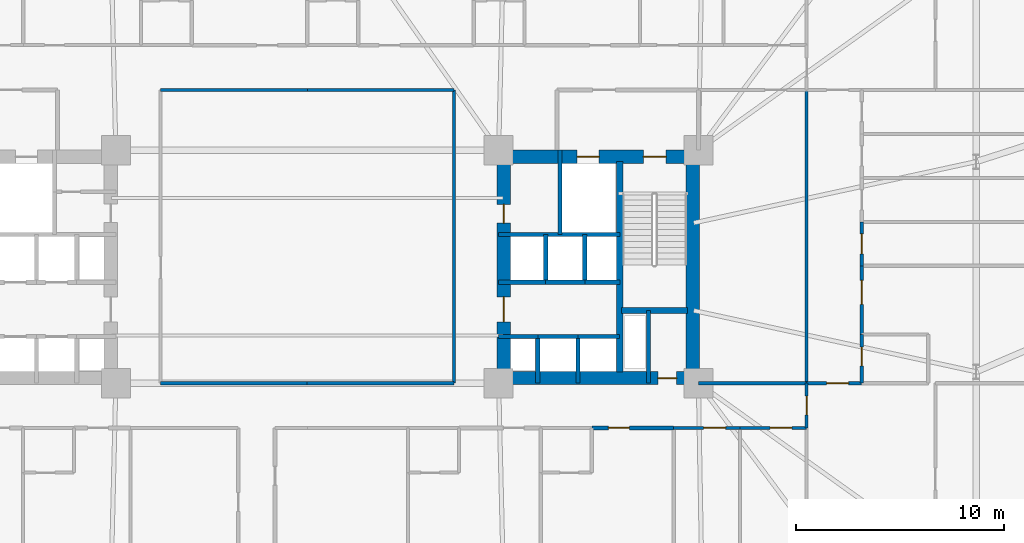
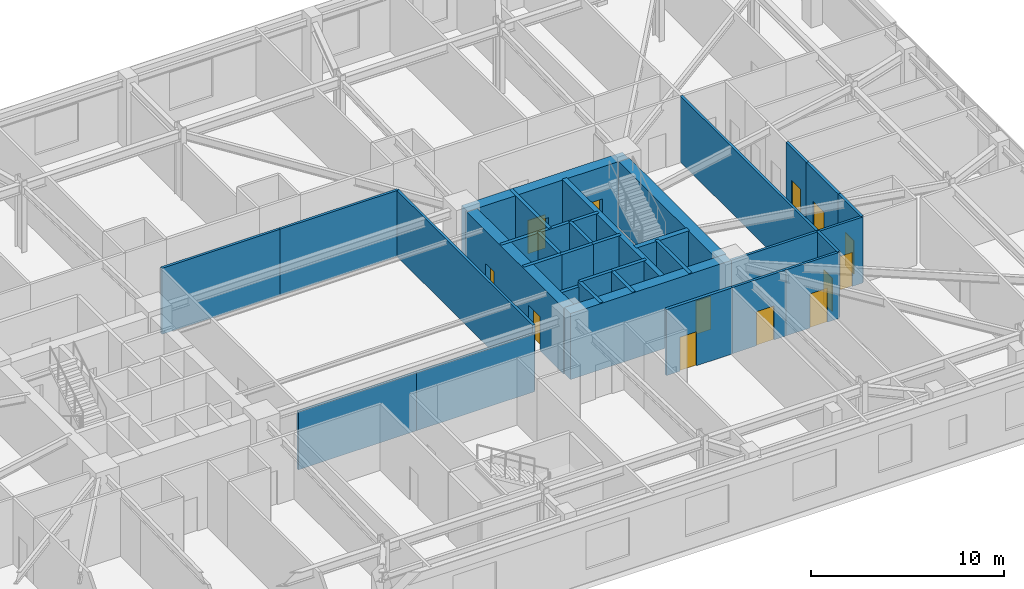
# One storey, part 14 of 21: 34 walls, 13 doors, 13 openings.
"""IFC4 building model written with IfcOpenShell, lengths in metres."""

from ifc_helpers import new_model, si_unit, direction, frame, frame_2d, origin, place, context, subcontext, project, spatial, rectangle, extrude, material, layer, layer_set, type_object, element, fill, save


model = new_model("IFC4")

# Units and contexts
model_context = context("Model", 3, precision=1e-05, world=origin(), true_north=direction((0.0, 1.0)))
body_context = subcontext(model_context, "Body", "Model", "MODEL_VIEW")
ifc_project = project(units=[si_unit("LENGTHUNIT", "METRE"), si_unit("AREAUNIT", "SQUARE_METRE"), si_unit("VOLUMEUNIT", "CUBIC_METRE"), si_unit("PLANEANGLEUNIT", "RADIAN"), si_unit("MASSUNIT", "GRAM", prefix="KILO")], contexts=[model_context])

# Site, building, storey
site_placement = place(None, origin())
site = spatial("IfcSite", under=ifc_project, at=site_placement, CompositionType="ELEMENT")
building_placement = place(site_placement, origin())
building = spatial("IfcBuilding", under=site, at=building_placement, Name="Qobustan Lattice House", CompositionType="ELEMENT")
storey_placement = place(building_placement, frame((0.0, 0.0, 18.0)))
storey = spatial("IfcBuildingStorey", under=building, at=storey_placement, Name="L04", CompositionType="ELEMENT", Elevation=18.0)

# Wall, openings, doors
ifc_material_1 = material(Name="Concrete C60/75", Category="concrete")
ifc_layer_1 = layer(ifc_material_1, 0.639892578125)
ifc_layer_set_1 = layer_set([ifc_layer_1], Name="Concrete C60/75")
wall_type_1 = type_object("IfcWallType", Name="WAL-CORE-640", PredefinedType="SHEAR", material=ifc_layer_set_1)
wall_1_placement = place(storey_placement, frame((9.199951171875, 5.280029296875, 0.0), z_axis=(0.0, 0.0, 1.0), x_axis=(1.0, 0.0, 0.0)))
wall_1 = element("IfcWall", 1, at=wall_1_placement, inside=storey, type_object=wall_type_1, Name="L04 split-core shear wall CE-N", PredefinedType="SHEAR", context=body_context, shape_type="SweptSolid", body=[
    extrude(rectangle(XDim=9.60009765625, YDim=0.639892578125, at=frame_2d((4.800048828125, 0.0))), origin(), (0.0, 0.0, 1.0), 4.169921875),
])
opening_1_placement = place(wall_1_placement, frame((6.949951171875, 0.0, 0.0)))
opening_1 = element("IfcOpeningElement", 2, at=opening_1_placement, cuts=wall_1, Name="Opening SD-01", PredefinedType="OPENING", context=body_context, shape_type="SweptSolid", body=[
    extrude(rectangle(XDim=1.10009765625, YDim=2.14990234375, at=frame_2d((0.550048828125, 1.074951171875))), frame((0.0, 0.329833984375, 0.0), z_axis=(0.0, -1.0, 0.0), x_axis=(1.0, 0.0, 0.0)), (0.0, 0.0, 1.0), 0.659912109375),
])
opening_2_placement = place(wall_1_placement, frame((3.77490234375, 0.0, 0.0)))
opening_2 = element("IfcOpeningElement", 3, at=opening_2_placement, cuts=wall_1, Name="Opening LD-01", PredefinedType="OPENING", context=body_context, shape_type="SweptSolid", body=[
    extrude(rectangle(XDim=1.050048828125, YDim=2.10009765625, at=frame_2d((0.52490234375, 1.050048828125))), frame((0.0, 0.329833984375, 0.0), z_axis=(0.0, -1.0, 0.0), x_axis=(1.0, 0.0, 0.0)), (0.0, 0.0, 1.0), 0.659912109375),
])
ifc_material_2 = material(Name="Persian walnut timber and steel frame door", Category="steel")
door_type_1 = type_object("IfcDoorType", Name="DOR-LIFT-LD-1050x2100", OperationType="NOTDEFINED", PredefinedType="DOOR", material=ifc_material_2)
door_1_placement = place(opening_2_placement, origin())
door_1 = element("IfcDoor", 4, at=door_1_placement, inside=storey, type_object=door_type_1, Name="L04 firefighting lift FF-E landing door", OperationType="DOUBLE_DOOR_SLIDING", OverallHeight=2.10009765625, OverallWidth=1.050048828125, PredefinedType="DOOR", context=body_context, shape_type="SweptSolid", body=[
    extrude(rectangle(XDim=1.050048828125, YDim=2.10009765625, at=frame_2d((0.52490234375, 1.050048828125))), frame((0.0, 0.02490234375, 0.0), z_axis=(0.0, -1.0, 0.0), x_axis=(1.0, 0.0, 0.0)), (0.0, 0.0, 1.0), 0.050048828125),
])
fill(opening_2, door_1)
ifc_material_3 = material(Name="Persian walnut timber and steel frame door", Category="steel")
door_type_2 = type_object("IfcDoorType", Name="DOR-STAIR-FD-1100x2150", OperationType="NOTDEFINED", PredefinedType="DOOR", material=ifc_material_3)
door_2_placement = place(opening_1_placement, origin())
door_2 = element("IfcDoor", 5, at=door_2_placement, inside=storey, type_object=door_type_2, Name="L04 exit stair ST-E1 fire door", OperationType="SINGLE_SWING_RIGHT", OverallHeight=2.14990234375, OverallWidth=1.10009765625, PredefinedType="DOOR", context=body_context, shape_type="SweptSolid", body=[
    extrude(rectangle(XDim=1.10009765625, YDim=2.14990234375, at=frame_2d((0.550048828125, 1.074951171875))), frame((0.0, 0.02490234375, 0.0), z_axis=(0.0, -1.0, 0.0), x_axis=(1.0, 0.0, 0.0)), (0.0, 0.0, 1.0), 0.050048828125),
])
fill(opening_1, door_2)

# Wall, opening, door
wall_2_placement = place(storey_placement, frame((9.199951171875, -5.35009765625, 0.0), z_axis=(0.0, 0.0, 1.0), x_axis=(1.0, 0.0, 0.0)))
wall_2 = element("IfcWall", 6, at=wall_2_placement, inside=storey, type_object=wall_type_1, Name="L04 split-core shear wall CE-S", PredefinedType="SHEAR", context=body_context, shape_type="SweptSolid", body=[
    extrude(rectangle(XDim=9.60009765625, YDim=0.639892578125, at=frame_2d((4.800048828125, 0.0))), origin(), (0.0, 0.0, 1.0), 4.169921875),
])
opening_3_placement = place(wall_2_placement, frame((7.64990234375, 0.0, 0.0)))
opening_3 = element("IfcOpeningElement", 7, at=opening_3_placement, cuts=wall_2, Name="Opening RD-01", PredefinedType="OPENING", context=body_context, shape_type="SweptSolid", body=[
    extrude(rectangle(XDim=0.89990234375, YDim=2.10009765625, at=frame_2d((0.449951171875, 1.050048828125))), frame((0.0, 0.329833984375, 0.0), z_axis=(0.0, -1.0, 0.0), x_axis=(1.0, 0.0, 0.0)), (0.0, 0.0, 1.0), 0.659912109375),
])
ifc_material_4 = material(Name="Persian walnut timber and steel frame door", Category="steel")
door_type_3 = type_object("IfcDoorType", Name="DOR-RISER-FD-900x2100", OperationType="NOTDEFINED", PredefinedType="DOOR", material=ifc_material_4)
door_3_placement = place(opening_3_placement, origin())
door_3 = element("IfcDoor", 8, at=door_3_placement, inside=storey, type_object=door_type_3, Name="L04 core service riser access door E", OperationType="SINGLE_SWING_RIGHT", OverallHeight=2.10009765625, OverallWidth=0.89990234375, PredefinedType="DOOR", context=body_context, shape_type="SweptSolid", body=[
    extrude(rectangle(XDim=0.89990234375, YDim=2.10009765625, at=frame_2d((0.449951171875, 1.050048828125))), frame((0.0, 0.02490234375, 0.0), z_axis=(0.0, -1.0, 0.0), x_axis=(1.0, 0.0, 0.0)), (0.0, 0.0, 1.0), 0.050048828125),
])
fill(opening_3, door_3)

# Wall, openings, doors
wall_3_placement = place(storey_placement, frame((9.449951171875, -5.050048828125, 0.0), z_axis=(0.0, 0.0, 1.0), x_axis=(0.0, 1.0, 0.0)))
wall_3 = element("IfcWall", 9, at=wall_3_placement, inside=storey, type_object=wall_type_1, Name="L04 split-core shear wall CE-W", PredefinedType="SHEAR", context=body_context, shape_type="SweptSolid", body=[
    extrude(rectangle(XDim=10.10009765625, YDim=0.639892578125, at=frame_2d((5.050048828125, 0.0))), origin(), (0.0, 0.0, 1.0), 4.169921875),
])
opening_4_placement = place(wall_3_placement, frame((7.14990234375, 0.0, 0.0)))
opening_4 = element("IfcOpeningElement", 10, at=opening_4_placement, cuts=wall_3, Name="Opening RD-01", PredefinedType="OPENING", context=body_context, shape_type="SweptSolid", body=[
    extrude(rectangle(XDim=0.89990234375, YDim=2.10009765625, at=frame_2d((0.449951171875, 1.050048828125))), frame((0.0, 0.329833984375, 0.0), z_axis=(0.0, -1.0, 0.0), x_axis=(1.0, 0.0, 0.0)), (0.0, 0.0, 1.0), 0.659912109375),
])
opening_5_placement = place(wall_3_placement, frame((2.39990234375, 0.0, 0.0)))
opening_5 = element("IfcOpeningElement", 11, at=opening_5_placement, cuts=wall_3, Name="Opening FD-01", PredefinedType="OPENING", context=body_context, shape_type="SweptSolid", body=[
    extrude(rectangle(XDim=1.199951171875, YDim=2.14990234375, at=frame_2d((0.60009765625, 1.074951171875))), frame((0.0, 0.329833984375, 0.0), z_axis=(0.0, -1.0, 0.0), x_axis=(1.0, 0.0, 0.0)), (0.0, 0.0, 1.0), 0.659912109375),
])
ifc_material_5 = material(Name="Persian walnut timber and steel frame door", Category="steel")
door_type_4 = type_object("IfcDoorType", Name="DOR-LOBBY-FD-1200x2150", OperationType="NOTDEFINED", PredefinedType="DOOR", material=ifc_material_5)
door_4_placement = place(opening_5_placement, origin())
door_4 = element("IfcDoor", 12, at=door_4_placement, inside=storey, type_object=door_type_4, Name="L04 East passenger lift lobby fire door", OperationType="SINGLE_SWING_RIGHT", OverallHeight=2.14990234375, OverallWidth=1.199951171875, PredefinedType="DOOR", context=body_context, shape_type="SweptSolid", body=[
    extrude(rectangle(XDim=1.199951171875, YDim=2.14990234375, at=frame_2d((0.60009765625, 1.074951171875))), frame((0.0, 0.02490234375, 0.0), z_axis=(0.0, -1.0, 0.0), x_axis=(1.0, 0.0, 0.0)), (0.0, 0.0, 1.0), 0.050048828125),
])
fill(opening_5, door_4)
door_5_placement = place(opening_4_placement, origin())
door_5 = element("IfcDoor", 13, at=door_5_placement, inside=storey, type_object=door_type_3, Name="L04 Housekeeping linen store fire door", OperationType="SINGLE_SWING_LEFT", OverallHeight=2.10009765625, OverallWidth=0.89990234375, PredefinedType="DOOR", context=body_context, shape_type="SweptSolid", body=[
    extrude(rectangle(XDim=0.89990234375, YDim=2.10009765625, at=frame_2d((0.449951171875, 1.050048828125))), frame((0.0, 0.02490234375, 0.0), z_axis=(0.0, -1.0, 0.0), x_axis=(1.0, 0.0, 0.0)), (0.0, 0.0, 1.0), 0.050048828125),
])
fill(opening_4, door_5)

# Walls
wall_4_placement = place(storey_placement, frame((18.530029296875, -5.050048828125, 0.0), z_axis=(0.0, 0.0, 1.0), x_axis=(0.0, 1.0, 0.0)))
element("IfcWall", 14, at=wall_4_placement, inside=storey, type_object=wall_type_1, Name="L04 split-core shear wall CE-E", PredefinedType="SHEAR", context=body_context, shape_type="SweptSolid", body=[
    extrude(rectangle(XDim=10.10009765625, YDim=0.639892578125, at=frame_2d((5.050048828125, 0.0))), origin(), (0.0, 0.0, 1.0), 4.169921875),
])
ifc_material_6 = material(Name="Concrete C50/60", Category="concrete")
ifc_layer_2 = layer(ifc_material_6, 0.280029296875)
ifc_layer_set_2 = layer_set([ifc_layer_2], Name="Concrete C50/60")
wall_type_2 = type_object("IfcWallType", Name="WAL-CORE-SPINE-280", PredefinedType="SHEAR", material=ifc_layer_set_2)
wall_5_placement = place(storey_placement, frame((15.02001953125, -5.050048828125, 0.0), z_axis=(0.0, 0.0, 1.0), x_axis=(0.0, 1.0, 0.0)))
element("IfcWall", 15, at=wall_5_placement, inside=storey, type_object=wall_type_2, Name="L04 split-core shear wall CE-M", PredefinedType="SHEAR", context=body_context, shape_type="SweptSolid", body=[
    extrude(rectangle(XDim=10.10009765625, YDim=0.300048828125, at=frame_2d((5.050048828125, 0.0))), origin(), (0.0, 0.0, 1.0), 4.169921875),
])
wall_6_placement = place(storey_placement, frame((15.10009765625, -2.110107421875, 0.0), z_axis=(0.0, 0.0, 1.0), x_axis=(1.0, 0.0, 0.0)))
element("IfcWall", 16, at=wall_6_placement, inside=storey, type_object=wall_type_2, Name="L04 split-core shear wall CE-ST", PredefinedType="SHEAR", context=body_context, shape_type="SweptSolid", body=[
    extrude(rectangle(XDim=3.179931640625, YDim=0.300048828125, at=frame_2d((1.58984375, 0.0))), origin(), (0.0, 0.0, 1.0), 4.169921875),
])

# Wall, opening, door
ifc_material_7 = material(Name="Gypsum fireboard acoustic partition", Category="gypsum")
ifc_layer_3 = layer(ifc_material_7, 0.179931640625)
ifc_layer_set_3 = layer_set([ifc_layer_3], Name="Gypsum fireboard acoustic partition")
wall_type_3 = type_object("IfcWallType", Name="WAL-FIRE-180", PredefinedType="PARTITIONING", material=ifc_layer_set_3)
wall_7_placement = place(storey_placement, frame((17.613037109375, -7.75, 0.0), z_axis=(0.0, 0.0, 1.0), x_axis=(-1.0, 0.0, 0.0)))
wall_7 = element("IfcWall", 17, at=wall_7_placement, inside=storey, type_object=wall_type_3, Name="L04 interior partition 70", PredefinedType="PARTITIONING", context=body_context, shape_type="SweptSolid", body=[
    extrude(rectangle(XDim=3.93798828125, YDim=0.179931640625, at=frame_2d((1.968994140625, 0.0))), origin(), (0.0, 0.0, 1.0), 4.169921875),
])
opening_6_placement = place(wall_7_placement, frame((2.1357421875, 0.0, 0.0)))
opening_6 = element("IfcOpeningElement", 18, at=opening_6_placement, cuts=wall_7, Name="Opening FD-02", PredefinedType="OPENING", context=body_context, shape_type="SweptSolid", body=[
    extrude(rectangle(XDim=1.0, YDim=2.14990234375, at=frame_2d((0.5, 1.074951171875))), frame((0.0, 0.099853515625, 0.0), z_axis=(0.0, -1.0, 0.0), x_axis=(1.0, 0.0, 0.0)), (0.0, 0.0, 1.0), 0.199951171875),
])
ifc_material_8 = material(Name="Persian walnut timber and steel frame door", Category="steel")
door_type_5 = type_object("IfcDoorType", Name="DOR-UNIT-FD-1000x2150", OperationType="NOTDEFINED", PredefinedType="DOOR", material=ifc_material_8)
door_6_placement = place(opening_6_placement, origin())
door_6 = element("IfcDoor", 19, at=door_6_placement, inside=storey, type_object=door_type_5, Name="L04 South-east podium corridor to Kitchenette and studio apartment L04-S3 door", OperationType="SINGLE_SWING_RIGHT", OverallHeight=2.14990234375, OverallWidth=1.0, PredefinedType="DOOR", context=body_context, shape_type="SweptSolid", body=[
    extrude(rectangle(XDim=1.0, YDim=2.14990234375, at=frame_2d((0.5, 1.074951171875))), frame((0.0, 0.02490234375, 0.0), z_axis=(0.0, -1.0, 0.0), x_axis=(1.0, 0.0, 0.0)), (0.0, 0.0, 1.0), 0.050048828125),
])
fill(opening_6, door_6)

# Walls
ifc_material_9 = material(Name="Acoustic twin-stud gypsum partition", Category="gypsum")
ifc_layer_4 = layer(ifc_material_9, 0.14990234375)
ifc_layer_set_4 = layer_set([ifc_layer_4], Name="Acoustic twin-stud gypsum partition")
wall_type_4 = type_object("IfcWallType", Name="WAL-PART-150", PredefinedType="PARTITIONING", material=ifc_layer_set_4)
for number, where, z_axis, x_axis, name in (
    (20, (0.0, 8.5, 0.0), (0.0, 0.0, 1.0), (-1.0, 0.0, 0.0), "L04 interior partition 45"),
    (21, (7.050048828125, 8.5, 0.0), (0.0, 0.0, 1.0), (-1.0, 0.0, 0.0), "L04 interior partition 54"),
):
    element("IfcWall", number, at=place(storey_placement, frame(where, z_axis=z_axis, x_axis=x_axis)), inside=storey, type_object=wall_type_4, Name=name, PredefinedType="PARTITIONING", context=body_context, shape_type="SweptSolid", body=[
        extrude(rectangle(XDim=7.050048828125, YDim=0.14990234375, at=frame_2d((3.52490234375, 0.0))), origin(), (0.0, 0.0, 1.0), 4.169921875),
    ])
wall_8_placement = place(storey_placement, frame((-7.050048828125, -5.60009765625, 0.0), z_axis=(0.0, 0.0, 1.0), x_axis=(1.0, 0.0, 0.0)))
element("IfcWall", 22, at=wall_8_placement, inside=storey, type_object=wall_type_4, Name="L04 interior partition 64", PredefinedType="PARTITIONING", context=body_context, shape_type="SweptSolid", body=[
    extrude(rectangle(XDim=7.050048828125, YDim=0.14990234375, at=frame_2d((3.52490234375, 0.0))), origin(), (0.0, 0.0, 1.0), 3.655029296875),
])

# Wall, opening, door
wall_9_placement = place(storey_placement, frame((24.0, -5.60009765625, 0.0), z_axis=(0.0, 0.0, 1.0), x_axis=(0.0, -1.0, 0.0)))
wall_9 = element("IfcWall", 23, at=wall_9_placement, inside=storey, type_object=wall_type_4, Name="L04 interior partition 65", PredefinedType="PARTITIONING", context=body_context, shape_type="SweptSolid", body=[
    extrude(rectangle(XDim=2.14990234375, YDim=0.14990234375, at=frame_2d((1.074951171875, 0.0))), origin(), (0.0, 0.0, 1.0), 4.169921875),
])
opening_7_placement = place(wall_9_placement, frame((0.625, 0.0, 0.0)))
opening_7 = element("IfcOpeningElement", 24, at=opening_7_placement, cuts=wall_9, Name="Opening WD-01", PredefinedType="OPENING", context=body_context, shape_type="SweptSolid", body=[
    extrude(rectangle(XDim=0.89990234375, YDim=2.10009765625, at=frame_2d((0.449951171875, 1.050048828125))), frame((0.0, 0.0849609375, 0.0), z_axis=(0.0, -1.0, 0.0), x_axis=(1.0, 0.0, 0.0)), (0.0, 0.0, 1.0), 0.169921875),
])
ifc_material_10 = material(Name="Persian walnut timber and steel frame door", Category="steel")
door_type_6 = type_object("IfcDoorType", Name="DOR-WET-900x2100", OperationType="NOTDEFINED", PredefinedType="DOOR", material=ifc_material_10)
door_7_placement = place(opening_7_placement, origin())
door_7 = element("IfcDoor", 25, at=door_7_placement, inside=storey, type_object=door_type_6, Name="L04 South-east podium corridor to Reading seminar room L04ES door", OperationType="SINGLE_SWING_RIGHT", OverallHeight=2.10009765625, OverallWidth=0.89990234375, PredefinedType="DOOR", context=body_context, shape_type="SweptSolid", body=[
    extrude(rectangle(XDim=0.89990234375, YDim=2.10009765625, at=frame_2d((0.449951171875, 1.050048828125))), frame((0.0, 0.02490234375, 0.0), z_axis=(0.0, -1.0, 0.0), x_axis=(1.0, 0.0, 0.0)), (0.0, 0.0, 1.0), 0.050048828125),
])
fill(opening_7, door_7)

# Wall
wall_10_placement = place(storey_placement, frame((18.800048828125, -5.60009765625, 0.0), z_axis=(0.0, 0.0, 1.0), x_axis=(1.0, 0.0, 0.0)))
element("IfcWall", 26, at=wall_10_placement, inside=storey, type_object=wall_type_4, Name="L04 interior partition 66", PredefinedType="PARTITIONING", context=body_context, shape_type="SweptSolid", body=[
    extrude(rectangle(XDim=5.199951171875, YDim=0.14990234375, at=frame_2d((2.60009765625, 0.0))), origin(), (0.0, 0.0, 1.0), 4.169921875),
])

# Wall, opening, door
wall_11_placement = place(storey_placement, frame((20.806396484375, -7.75, 0.0), z_axis=(0.0, 0.0, 1.0), x_axis=(-1.0, 0.0, 0.0)))
wall_11 = element("IfcWall", 27, at=wall_11_placement, inside=storey, type_object=wall_type_4, Name="L04 interior partition 72", PredefinedType="PARTITIONING", context=body_context, shape_type="SweptSolid", body=[
    extrude(rectangle(XDim=3.193359375, YDim=0.14990234375, at=frame_2d((1.5966796875, 0.0))), origin(), (0.0, 0.0, 1.0), 4.169921875),
])
opening_8_placement = place(wall_11_placement, frame((0.702880859375, 0.0, 0.0)))
opening_8 = element("IfcOpeningElement", 28, at=opening_8_placement, cuts=wall_11, Name="Opening ID-02", PredefinedType="OPENING", context=body_context, shape_type="SweptSolid", body=[
    extrude(rectangle(XDim=1.050048828125, YDim=2.14990234375, at=frame_2d((0.52490234375, 1.074951171875))), frame((0.0, 0.0849609375, 0.0), z_axis=(0.0, -1.0, 0.0), x_axis=(1.0, 0.0, 0.0)), (0.0, 0.0, 1.0), 0.169921875),
])
ifc_material_11 = material(Name="Persian walnut timber and steel frame door", Category="steel")
door_type_7 = type_object("IfcDoorType", Name="DOR-STUDY-1050x2150", OperationType="NOTDEFINED", PredefinedType="DOOR", material=ifc_material_11)
door_8_placement = place(opening_8_placement, origin())
door_8 = element("IfcDoor", 29, at=door_8_placement, inside=storey, type_object=door_type_7, Name="L04 South-east podium corridor to Group study room door", OperationType="SINGLE_SWING_LEFT", OverallHeight=2.14990234375, OverallWidth=1.050048828125, PredefinedType="DOOR", context=body_context, shape_type="SweptSolid", body=[
    extrude(rectangle(XDim=1.050048828125, YDim=2.14990234375, at=frame_2d((0.52490234375, 1.074951171875))), frame((0.0, 0.02490234375, 0.0), z_axis=(0.0, -1.0, 0.0), x_axis=(1.0, 0.0, 0.0)), (0.0, 0.0, 1.0), 0.050048828125),
])
fill(opening_8, door_8)

wall_12_placement = place(storey_placement, frame((24.0, -7.75, 0.0), z_axis=(0.0, 0.0, 1.0), x_axis=(-1.0, 0.0, 0.0)))
wall_12 = element("IfcWall", 30, at=wall_12_placement, inside=storey, type_object=wall_type_4, Name="L04 interior partition 73", PredefinedType="PARTITIONING", context=body_context, shape_type="SweptSolid", body=[
    extrude(rectangle(XDim=3.193603515625, YDim=0.14990234375, at=frame_2d((1.5966796875, 0.0))), origin(), (0.0, 0.0, 1.0), 4.169921875),
])
opening_9_placement = place(wall_12_placement, frame((0.702880859375, 0.0, 0.0)))
opening_9 = element("IfcOpeningElement", 31, at=opening_9_placement, cuts=wall_12, Name="Opening ID-02", PredefinedType="OPENING", context=body_context, shape_type="SweptSolid", body=[
    extrude(rectangle(XDim=1.050048828125, YDim=2.14990234375, at=frame_2d((0.52490234375, 1.074951171875))), frame((0.0, 0.0849609375, 0.0), z_axis=(0.0, -1.0, 0.0), x_axis=(1.0, 0.0, 0.0)), (0.0, 0.0, 1.0), 0.169921875),
])
door_9_placement = place(opening_9_placement, origin())
door_9 = element("IfcDoor", 32, at=door_9_placement, inside=storey, type_object=door_type_7, Name="L04 South-east podium corridor to Academic seminar room door", OperationType="SINGLE_SWING_RIGHT", OverallHeight=2.14990234375, OverallWidth=1.050048828125, PredefinedType="DOOR", context=body_context, shape_type="SweptSolid", body=[
    extrude(rectangle(XDim=1.050048828125, YDim=2.14990234375, at=frame_2d((0.52490234375, 1.074951171875))), frame((0.0, 0.02490234375, 0.0), z_axis=(0.0, -1.0, 0.0), x_axis=(1.0, 0.0, 0.0)), (0.0, 0.0, 1.0), 0.050048828125),
])
fill(opening_9, door_9)

# Walls
wall_13_placement = place(storey_placement, frame((0.0, -5.60009765625, 0.0), z_axis=(0.0, 0.0, 1.0), x_axis=(1.0, 0.0, 0.0)))
element("IfcWall", 33, at=wall_13_placement, inside=storey, type_object=wall_type_4, Name="L04 interior partition 74", PredefinedType="PARTITIONING", context=body_context, shape_type="SweptSolid", body=[
    extrude(rectangle(XDim=7.050048828125, YDim=0.14990234375, at=frame_2d((3.52490234375, 0.0))), origin(), (0.0, 0.0, 1.0), 3.655029296875),
])
wall_14_placement = place(storey_placement, frame((7.050048828125, -5.60009765625, 0.0), z_axis=(0.0, 0.0, 1.0), x_axis=(0.0, 1.0, 0.0)))
element("IfcWall", 34, at=wall_14_placement, inside=storey, type_object=wall_type_4, Name="L04 interior partition 76", PredefinedType="PARTITIONING", context=body_context, shape_type="SweptSolid", body=[
    extrude(rectangle(XDim=14.10009765625, YDim=0.14990234375, at=frame_2d((7.050048828125, 0.0))), origin(), (0.0, 0.0, 1.0), 4.169921875),
])

# Wall, opening, door
wall_15_placement = place(storey_placement, frame((26.64990234375, -5.60009765625, 0.0), z_axis=(0.0, 0.0, 1.0), x_axis=(-1.0, 0.0, 0.0)))
wall_15 = element("IfcWall", 35, at=wall_15_placement, inside=storey, type_object=wall_type_4, Name="L04 interior partition 103", PredefinedType="PARTITIONING", context=body_context, shape_type="SweptSolid", body=[
    extrude(rectangle(XDim=2.64990234375, YDim=0.14990234375, at=frame_2d((1.324951171875, 0.0))), origin(), (0.0, 0.0, 1.0), 4.169921875),
])
opening_10_placement = place(wall_15_placement, frame((0.635009765625, 0.0, 0.0)))
opening_10 = element("IfcOpeningElement", 36, at=opening_10_placement, cuts=wall_15, Name="Opening ID-02", PredefinedType="OPENING", context=body_context, shape_type="SweptSolid", body=[
    extrude(rectangle(XDim=1.050048828125, YDim=2.14990234375, at=frame_2d((0.52490234375, 1.074951171875))), frame((0.0, 0.0849609375, 0.0), z_axis=(0.0, -1.0, 0.0), x_axis=(1.0, 0.0, 0.0)), (0.0, 0.0, 1.0), 0.169921875),
])
door_10_placement = place(opening_10_placement, origin())
door_10 = element("IfcDoor", 37, at=door_10_placement, inside=storey, type_object=door_type_7, Name="L04 Residence entrance hall L04E to Reading seminar room L04ES door", OperationType="SINGLE_SWING_LEFT", OverallHeight=2.14990234375, OverallWidth=1.050048828125, PredefinedType="DOOR", context=body_context, shape_type="SweptSolid", body=[
    extrude(rectangle(XDim=1.050048828125, YDim=2.14990234375, at=frame_2d((0.52490234375, 1.074951171875))), frame((0.0, 0.02490234375, 0.0), z_axis=(0.0, -1.0, 0.0), x_axis=(1.0, 0.0, 0.0)), (0.0, 0.0, 1.0), 0.050048828125),
])
fill(opening_10, door_10)

wall_16_placement = place(storey_placement, frame((26.64990234375, 2.155029296875, 0.0), z_axis=(0.0, 0.0, 1.0), x_axis=(0.0, -1.0, 0.0)))
wall_16 = element("IfcWall", 38, at=wall_16_placement, inside=storey, type_object=wall_type_4, Name="L04 interior partition 106", PredefinedType="PARTITIONING", context=body_context, shape_type="SweptSolid", body=[
    extrude(rectangle(XDim=2.114990234375, YDim=0.14990234375, at=frame_2d((1.0576171875, 0.0))), origin(), (0.0, 0.0, 1.0), 4.169921875),
])
opening_11_placement = place(wall_16_placement, frame((0.58251953125, 0.0, 0.0)))
opening_11 = element("IfcOpeningElement", 39, at=opening_11_placement, cuts=wall_16, Name="Opening ID-01", PredefinedType="OPENING", context=body_context, shape_type="SweptSolid", body=[
    extrude(rectangle(XDim=0.949951171875, YDim=2.10009765625, at=frame_2d((0.47509765625, 1.050048828125))), frame((0.0, 0.0849609375, 0.0), z_axis=(0.0, -1.0, 0.0), x_axis=(1.0, 0.0, 0.0)), (0.0, 0.0, 1.0), 0.169921875),
])
ifc_material_12 = material(Name="Persian walnut timber and steel frame door", Category="steel")
door_type_8 = type_object("IfcDoorType", Name="DOR-ROOM-950x2100", OperationType="NOTDEFINED", PredefinedType="DOOR", material=ifc_material_12)
door_11_placement = place(opening_11_placement, origin())
door_11 = element("IfcDoor", 40, at=door_11_placement, inside=storey, type_object=door_type_8, Name="L04 Residence entrance hall L04E to Cluster bedroom L04E1 door", OperationType="SINGLE_SWING_RIGHT", OverallHeight=2.10009765625, OverallWidth=0.949951171875, PredefinedType="DOOR", context=body_context, shape_type="SweptSolid", body=[
    extrude(rectangle(XDim=0.949951171875, YDim=2.10009765625, at=frame_2d((0.47509765625, 1.050048828125))), frame((0.0, 0.02490234375, 0.0), z_axis=(0.0, -1.0, 0.0), x_axis=(1.0, 0.0, 0.0)), (0.0, 0.0, 1.0), 0.050048828125),
])
fill(opening_11, door_11)

# Wall
wall_17_placement = place(storey_placement, frame((24.0, -5.60009765625, 0.0), z_axis=(0.0, 0.0, 1.0), x_axis=(0.0, 1.0, 0.0)))
element("IfcWall", 41, at=wall_17_placement, inside=storey, type_object=wall_type_4, Name="L04 interior partition 110", PredefinedType="PARTITIONING", context=body_context, shape_type="SweptSolid", body=[
    extrude(rectangle(XDim=14.10009765625, YDim=0.14990234375, at=frame_2d((7.050048828125, 0.0))), origin(), (0.0, 0.0, 1.0), 4.169921875),
])

# Wall, opening, door
ifc_material_13 = material(Name="High-mass acoustic twin-stud partition", Category="gypsum")
ifc_layer_5 = layer(ifc_material_13, 0.1650390625)
ifc_layer_set_5 = layer_set([ifc_layer_5], Name="High-mass acoustic twin-stud partition")
wall_type_5 = type_object("IfcWallType", Name="WAL-PART-165", PredefinedType="PARTITIONING", material=ifc_layer_set_5)
wall_18_placement = place(storey_placement, frame((26.64990234375, 0.0400390625, 0.0), z_axis=(0.0, 0.0, 1.0), x_axis=(0.0, -1.0, 0.0)))
wall_18 = element("IfcWall", 42, at=wall_18_placement, inside=storey, type_object=wall_type_5, Name="L04 interior partition 105", PredefinedType="PARTITIONING", context=body_context, shape_type="SweptSolid", body=[
    extrude(rectangle(XDim=3.2900390625, YDim=0.1650390625, at=frame_2d((1.64501953125, 0.0))), origin(), (0.0, 0.0, 1.0), 4.169921875),
])
opening_12_placement = place(wall_18_placement, frame((0.702392578125, 0.0, 0.0)))
opening_12 = element("IfcOpeningElement", 43, at=opening_12_placement, cuts=wall_18, Name="Opening ID-03", PredefinedType="OPENING", context=body_context, shape_type="SweptSolid", body=[
    extrude(rectangle(XDim=1.14990234375, YDim=2.14990234375, at=frame_2d((0.574951171875, 1.074951171875))), frame((0.0, 0.092529296875, 0.0), z_axis=(0.0, -1.0, 0.0), x_axis=(1.0, 0.0, 0.0)), (0.0, 0.0, 1.0), 0.18505859375),
])
ifc_material_14 = material(Name="Persian walnut timber and steel frame door", Category="steel")
door_type_9 = type_object("IfcDoorType", Name="DOR-KITCH-1150x2150", OperationType="NOTDEFINED", PredefinedType="DOOR", material=ifc_material_14)
door_12_placement = place(opening_12_placement, origin())
door_12 = element("IfcDoor", 44, at=door_12_placement, inside=storey, type_object=door_type_9, Name="L04 Residence entrance hall L04E to Shared kitchen L04E door", OperationType="SINGLE_SWING_LEFT", OverallHeight=2.14990234375, OverallWidth=1.14990234375, PredefinedType="DOOR", context=body_context, shape_type="SweptSolid", body=[
    extrude(rectangle(XDim=1.14990234375, YDim=2.14990234375, at=frame_2d((0.574951171875, 1.074951171875))), frame((0.0, 0.02490234375, 0.0), z_axis=(0.0, -1.0, 0.0), x_axis=(1.0, 0.0, 0.0)), (0.0, 0.0, 1.0), 0.050048828125),
])
fill(opening_12, door_12)

# Walls
ifc_material_15 = material(Name="Concrete C40/50", Category="concrete")
ifc_layer_6 = layer(ifc_material_15, 0.199951171875)
ifc_layer_set_6 = layer_set([ifc_layer_6], Name="Concrete C40/50")
wall_type_6 = type_object("IfcWallType", Name="WAL-SHAFT-200", PredefinedType="PARTITIONING", material=ifc_layer_set_6)
wall_19_placement = place(storey_placement, frame((16.39990234375, -2.110107421875, 0.0), z_axis=(0.0, 0.0, 1.0), x_axis=(0.0, -1.0, 0.0)))
element("IfcWall", 45, at=wall_19_placement, inside=storey, type_object=wall_type_6, Name="L04 interior partition 20", PredefinedType="PARTITIONING", context=body_context, shape_type="SweptSolid", body=[
    extrude(rectangle(XDim=3.489990234375, YDim=0.199951171875, at=frame_2d((1.7451171875, 0.0))), origin(), (0.0, 0.0, 1.0), 4.169921875),
])
wall_20_placement = place(storey_placement, frame((12.14990234375, 5.60009765625, 0.0), z_axis=(0.0, 0.0, 1.0), x_axis=(0.0, -1.0, 0.0)))
element("IfcWall", 46, at=wall_20_placement, inside=storey, type_object=wall_type_6, Name="L04 interior partition 21", PredefinedType="PARTITIONING", context=body_context, shape_type="SweptSolid", body=[
    extrude(rectangle(XDim=4.050048828125, YDim=0.199951171875, at=frame_2d((2.02490234375, 0.0))), origin(), (0.0, 0.0, 1.0), 4.169921875),
])
wall_21_placement = place(storey_placement, frame((9.199951171875, -3.35009765625, 0.0), z_axis=(0.0, 0.0, 1.0), x_axis=(1.0, 0.0, 0.0)))
element("IfcWall", 47, at=wall_21_placement, inside=storey, type_object=wall_type_6, Name="L04 interior partition 26", PredefinedType="PARTITIONING", context=body_context, shape_type="SweptSolid", body=[
    extrude(rectangle(XDim=1.880126953125, YDim=0.199951171875, at=frame_2d((0.93994140625, 0.0))), origin(), (0.0, 0.0, 1.0), 3.885009765625),
])
wall_22_placement = place(storey_placement, frame((11.080078125, -3.35009765625, 0.0), z_axis=(0.0, 0.0, 1.0), x_axis=(1.0, 0.0, 0.0)))
element("IfcWall", 48, at=wall_22_placement, inside=storey, type_object=wall_type_6, Name="L04 interior partition 27", PredefinedType="PARTITIONING", context=body_context, shape_type="SweptSolid", body=[
    extrude(rectangle(XDim=1.93994140625, YDim=0.199951171875, at=frame_2d((0.969970703125, 0.0))), origin(), (0.0, 0.0, 1.0), 4.169921875),
])
wall_23_placement = place(storey_placement, frame((13.02001953125, -3.35009765625, 0.0), z_axis=(0.0, 0.0, 1.0), x_axis=(1.0, 0.0, 0.0)))
element("IfcWall", 49, at=wall_23_placement, inside=storey, type_object=wall_type_6, Name="L04 interior partition 28", PredefinedType="PARTITIONING", context=body_context, shape_type="SweptSolid", body=[
    extrude(rectangle(XDim=2.0, YDim=0.199951171875, at=frame_2d((1.0, 0.0))), origin(), (0.0, 0.0, 1.0), 4.169921875),
])
wall_24_placement = place(storey_placement, frame((11.4599609375, -0.75, 0.0), z_axis=(0.0, 0.0, 1.0), x_axis=(-1.0, 0.0, 0.0)))
element("IfcWall", 50, at=wall_24_placement, inside=storey, type_object=wall_type_6, Name="L04 interior partition 29", PredefinedType="PARTITIONING", context=body_context, shape_type="SweptSolid", body=[
    extrude(rectangle(XDim=2.260009765625, YDim=0.199951171875, at=frame_2d((1.1298828125, 0.0))), origin(), (0.0, 0.0, 1.0), 4.169921875),
])
wall_25_placement = place(storey_placement, frame((13.340087890625, -0.75, 0.0), z_axis=(0.0, 0.0, 1.0), x_axis=(-1.0, 0.0, 0.0)))
element("IfcWall", 51, at=wall_25_placement, inside=storey, type_object=wall_type_6, Name="L04 interior partition 30", PredefinedType="PARTITIONING", context=body_context, shape_type="SweptSolid", body=[
    extrude(rectangle(XDim=1.880126953125, YDim=0.199951171875, at=frame_2d((0.93994140625, 0.0))), origin(), (0.0, 0.0, 1.0), 4.169921875),
])
wall_26_placement = place(storey_placement, frame((15.02001953125, -0.75, 0.0), z_axis=(0.0, 0.0, 1.0), x_axis=(-1.0, 0.0, 0.0)))
element("IfcWall", 52, at=wall_26_placement, inside=storey, type_object=wall_type_6, Name="L04 interior partition 31", PredefinedType="PARTITIONING", context=body_context, shape_type="SweptSolid", body=[
    extrude(rectangle(XDim=1.679931640625, YDim=0.199951171875, at=frame_2d((0.83984375, 0.0))), origin(), (0.0, 0.0, 1.0), 4.169921875),
])
for number, where, z_axis, x_axis, name in (
    (53, (11.080078125, -5.60009765625, 0.0), (0.0, 0.0, 1.0), (0.0, 1.0, 0.0), "L04 interior partition 33"),
    (54, (13.02001953125, -5.60009765625, 0.0), (0.0, 0.0, 1.0), (0.0, 1.0, 0.0), "L04 interior partition 34"),
):
    element("IfcWall", number, at=place(storey_placement, frame(where, z_axis=z_axis, x_axis=x_axis)), inside=storey, type_object=wall_type_6, Name=name, PredefinedType="PARTITIONING", context=body_context, shape_type="SweptSolid", body=[
        extrude(rectangle(XDim=2.25, YDim=0.199951171875, at=frame_2d((1.125, 0.0))), origin(), (0.0, 0.0, 1.0), 4.169921875),
    ])
for number, where, z_axis, x_axis, name in (
    (55, (11.4599609375, -0.75, 0.0), (0.0, 0.0, 1.0), (0.0, 1.0, 0.0), "L04 interior partition 35"),
    (56, (13.340087890625, -0.75, 0.0), (0.0, 0.0, 1.0), (0.0, 1.0, 0.0), "L04 interior partition 36"),
):
    element("IfcWall", number, at=place(storey_placement, frame(where, z_axis=z_axis, x_axis=x_axis)), inside=storey, type_object=wall_type_6, Name=name, PredefinedType="PARTITIONING", context=body_context, shape_type="SweptSolid", body=[
        extrude(rectangle(XDim=2.300048828125, YDim=0.199951171875, at=frame_2d((1.14990234375, 0.0))), origin(), (0.0, 0.0, 1.0), 4.169921875),
    ])
wall_27_placement = place(storey_placement, frame((9.199951171875, 1.550048828125, 0.0), z_axis=(0.0, 0.0, 1.0), x_axis=(1.0, 0.0, 0.0)))
element("IfcWall", 57, at=wall_27_placement, inside=storey, type_object=wall_type_6, Name="L04 interior partition 162", PredefinedType="PARTITIONING", context=body_context, shape_type="SweptSolid", body=[
    extrude(rectangle(XDim=5.820068359375, YDim=0.199951171875, at=frame_2d((2.91015625, 0.0))), origin(), (0.0, 0.0, 1.0), 4.169921875),
])

# Wall, opening, door
ifc_material_16 = material(Name="Moisture-resistant acoustic plumbing wall", Category="gypsum")
ifc_layer_7 = layer(ifc_material_16, 0.14990234375)
ifc_layer_set_7 = layer_set([ifc_layer_7], Name="Moisture-resistant acoustic plumbing wall")
wall_type_7 = type_object("IfcWallType", Name="WAL-WET-150", PredefinedType="PLUMBINGWALL", material=ifc_layer_set_7)
wall_28_placement = place(storey_placement, frame((26.64990234375, -3.25, 0.0), z_axis=(0.0, 0.0, 1.0), x_axis=(0.0, -1.0, 0.0)))
wall_28 = element("IfcWall", 58, at=wall_28_placement, inside=storey, type_object=wall_type_7, Name="L04 interior partition 104", PredefinedType="PLUMBINGWALL", context=body_context, shape_type="SweptSolid", body=[
    extrude(rectangle(XDim=2.35009765625, YDim=0.14990234375, at=frame_2d((1.175048828125, 0.0))), origin(), (0.0, 0.0, 1.0), 4.169921875),
])
opening_13_placement = place(wall_28_placement, frame((0.6162109375, 0.0, 0.0)))
opening_13 = element("IfcOpeningElement", 59, at=opening_13_placement, cuts=wall_28, Name="Opening WD-01", PredefinedType="OPENING", context=body_context, shape_type="SweptSolid", body=[
    extrude(rectangle(XDim=0.89990234375, YDim=2.10009765625, at=frame_2d((0.449951171875, 1.050048828125))), frame((0.0, 0.0849609375, 0.0), z_axis=(0.0, -1.0, 0.0), x_axis=(1.0, 0.0, 0.0)), (0.0, 0.0, 1.0), 0.169921875),
])
door_13_placement = place(opening_13_placement, origin())
door_13 = element("IfcDoor", 60, at=door_13_placement, inside=storey, type_object=door_type_6, Name="L04 Residence entrance hall L04E to Shared bathroom L04E door", OperationType="SINGLE_SWING_RIGHT", OverallHeight=2.10009765625, OverallWidth=0.89990234375, PredefinedType="DOOR", context=body_context, shape_type="SweptSolid", body=[
    extrude(rectangle(XDim=0.89990234375, YDim=2.10009765625, at=frame_2d((0.449951171875, 1.050048828125))), frame((0.0, 0.02490234375, 0.0), z_axis=(0.0, -1.0, 0.0), x_axis=(1.0, 0.0, 0.0)), (0.0, 0.0, 1.0), 0.050048828125),
])
fill(opening_13, door_13)

save(model, "model.ifc")
